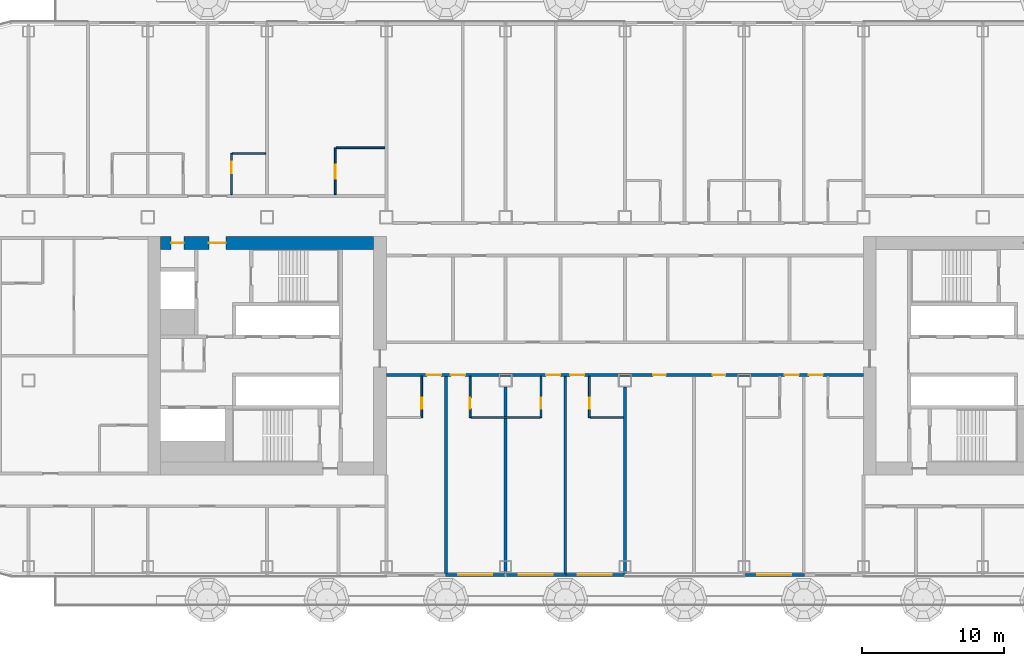
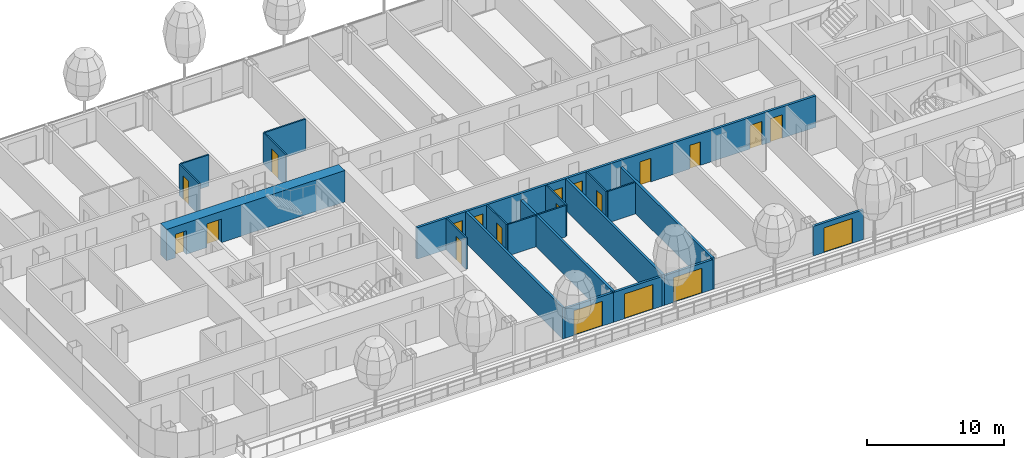
# One storey, part 15 of 34: 20 doors, 20 walls, 20 openings, 1 element without a shape of its own.
"""IFC4 building model written with IfcOpenShell, lengths in metres."""

from ifc_helpers import new_model, si_unit, direction, frame, frame_2d, origin, place, context, subcontext, project, spatial, rectangle, extrude, material, layer, layer_set, type_object, element, fill, aggregate, save


model = new_model("IFC4")

# Units and contexts
model_context = context("Model", 3, precision=1e-05, world=origin(), true_north=direction((0.0, 1.0)))
body_context = subcontext(model_context, "Body", "Model", "MODEL_VIEW")
ifc_project = project(units=[si_unit("LENGTHUNIT", "METRE"), si_unit("AREAUNIT", "SQUARE_METRE"), si_unit("VOLUMEUNIT", "CUBIC_METRE"), si_unit("PLANEANGLEUNIT", "RADIAN"), si_unit("MASSUNIT", "GRAM", prefix="KILO")], contexts=[model_context])

# Site, building, storey
site_placement = place(None, origin())
site = spatial("IfcSite", under=ifc_project, at=site_placement, CompositionType="ELEMENT")
building_placement = place(site_placement, origin())
building = spatial("IfcBuilding", under=site, at=building_placement, Name="Hakoniwa Tower and Hamabe Station Hall", CompositionType="ELEMENT")
storey_placement = place(building_placement, frame((0.0, 0.0, 94.60009765625)))
storey = spatial("IfcBuildingStorey", under=building, at=storey_placement, Name="L26", CompositionType="ELEMENT", Elevation=94.60009765625)

# Walls
ifc_material_1 = material(Name="Gypsum board partition", Category="gypsum")
ifc_layer_1 = layer(ifc_material_1, 0.125)
ifc_layer_set_1 = layer_set([ifc_layer_1], Name="Bathroom Partition 125")
wall_type_1 = type_object("IfcWallType", Name="Bathroom Partition 125", PredefinedType="PARTITIONING", material=ifc_layer_set_1)
wall_1_placement = place(storey_placement, frame((-10.83740234375, -4.35009765625, 0.0), z_axis=(0.0, 0.0, 1.0), x_axis=(1.0, 0.0, 0.0)))
element("IfcWall", 1, at=wall_1_placement, inside=storey, type_object=wall_type_1, Name="GW-L26-008", PredefinedType="PARTITIONING", context=body_context, shape_type="SweptSolid", body=[
    extrude(rectangle(XDim=4.875, YDim=0.125, at=frame_2d((2.4375, 0.0))), origin(), (0.0, 0.0, 1.0), 2.7998046875),
])
for number, where, z_axis, x_axis, name in (
    (2, (-2.4375, -4.35009765625, 0.0), (0.0, 0.0, 1.0), (1.0, 0.0, 0.0), "GW-L26-009"),
    (3, (-27.637451171875, 14.25, 0.0), (0.0, 0.0, 1.0), (1.0, 0.0, 0.0), "GW-L26-029"),
):
    element("IfcWall", number, at=place(storey_placement, frame(where, z_axis=z_axis, x_axis=x_axis)), inside=storey, type_object=wall_type_1, Name=name, PredefinedType="PARTITIONING", context=body_context, shape_type="SweptSolid", body=[
        extrude(rectangle(XDim=2.33740234375, YDim=0.125, at=frame_2d((1.168701171875, 0.0))), origin(), (0.0, 0.0, 1.0), 2.7998046875),
    ])
wall_2_placement = place(storey_placement, frame((-20.33740234375, 14.64990234375, 0.0), z_axis=(0.0, 0.0, 1.0), x_axis=(1.0, 0.0, 0.0)))
element("IfcWall", 4, at=wall_2_placement, inside=storey, type_object=wall_type_1, Name="GW-L26-030", PredefinedType="PARTITIONING", context=body_context, shape_type="SweptSolid", body=[
    extrude(rectangle(XDim=3.4375, YDim=0.125, at=frame_2d((1.71875, 0.0))), origin(), (0.0, 0.0, 1.0), 2.7998046875),
])

# Wall, opening, door
wall_3_placement = place(storey_placement, frame((-27.699951171875, 11.35009765625, 0.0), z_axis=(0.0, 0.0, 1.0), x_axis=(0.0, 1.0, 0.0)))
wall_3 = element("IfcWall", 5, at=wall_3_placement, inside=storey, type_object=wall_type_1, Name="GW-L26-045", PredefinedType="PARTITIONING", context=body_context, shape_type="SweptSolid", body=[
    extrude(rectangle(XDim=2.89990234375, YDim=0.125, at=frame_2d((1.449951171875, 0.0))), origin(), (0.0, 0.0, 1.0), 2.7998046875),
])
opening_1_placement = place(wall_3_placement, frame((1.5, 0.0, 0.0)))
opening_1 = element("IfcOpeningElement", 6, at=opening_1_placement, cuts=wall_3, Name="Opening GD-G2B1-59", PredefinedType="OPENING", context=body_context, shape_type="SweptSolid", body=[
    extrude(rectangle(XDim=0.800048828125, YDim=2.10009765625, at=frame_2d((0.39990234375, 1.050048828125))), frame((0.0, 0.072509765625, 0.0), z_axis=(0.0, -1.0, 0.0), x_axis=(1.0, 0.0, 0.0)), (0.0, 0.0, 1.0), 0.14501953125),
])
ifc_material_2 = material(Name="Timber door leaf", Category="wood")
door_type_1 = type_object("IfcDoorType", Name="Bathroom Door 800", OperationType="SINGLE_SWING_LEFT", PredefinedType="DOOR", material=ifc_material_2)
door_1_placement = place(opening_1_placement, origin())
door_1 = element("IfcDoor", 7, at=door_1_placement, inside=storey, type_object=door_type_1, Name="Door GD-G2B1-59", OperationType="SINGLE_SWING_RIGHT", OverallHeight=2.10009765625, OverallWidth=0.800048828125, PredefinedType="DOOR", context=body_context, shape_type="SweptSolid", body=[
    extrude(rectangle(XDim=0.800048828125, YDim=2.10009765625, at=frame_2d((0.39990234375, 1.050048828125))), frame((0.0, 0.02490234375, 0.0), z_axis=(0.0, -1.0, 0.0), x_axis=(1.0, 0.0, 0.0)), (0.0, 0.0, 1.0), 0.050048828125),
])
fill(opening_1, door_1)

wall_4_placement = place(storey_placement, frame((-20.39990234375, 11.35009765625, 0.0), z_axis=(0.0, 0.0, 1.0), x_axis=(0.0, 1.0, 0.0)))
wall_4 = element("IfcWall", 8, at=wall_4_placement, inside=storey, type_object=wall_type_1, Name="GW-L26-048", PredefinedType="PARTITIONING", context=body_context, shape_type="SweptSolid", body=[
    extrude(rectangle(XDim=3.2998046875, YDim=0.125, at=frame_2d((1.64990234375, 0.0))), origin(), (0.0, 0.0, 1.0), 2.7998046875),
])
opening_2_placement = place(wall_4_placement, frame((1.10009765625, 0.0, 0.0)))
opening_2 = element("IfcOpeningElement", 9, at=opening_2_placement, cuts=wall_4, Name="Opening GD-G2B1-60", PredefinedType="OPENING", context=body_context, shape_type="SweptSolid", body=[
    extrude(rectangle(XDim=1.0, YDim=2.10009765625, at=frame_2d((0.5, 1.050048828125))), frame((0.0, 0.072509765625, 0.0), z_axis=(0.0, -1.0, 0.0), x_axis=(1.0, 0.0, 0.0)), (0.0, 0.0, 1.0), 0.14501953125),
])
ifc_material_3 = material(Name="Timber door leaf", Category="wood")
door_type_2 = type_object("IfcDoorType", Name="Accessible Bathroom Door 1000", OperationType="SINGLE_SWING_LEFT", PredefinedType="DOOR", material=ifc_material_3)
door_2_placement = place(opening_2_placement, origin())
door_2 = element("IfcDoor", 10, at=door_2_placement, inside=storey, type_object=door_type_2, Name="Door GD-G2B1-60", OperationType="SINGLE_SWING_LEFT", OverallHeight=2.10009765625, OverallWidth=1.0, PredefinedType="DOOR", context=body_context, shape_type="SweptSolid", body=[
    extrude(rectangle(XDim=1.0, YDim=2.10009765625, at=frame_2d((0.5, 1.050048828125))), frame((0.0, 0.02490234375, 0.0), z_axis=(0.0, -1.0, 0.0), x_axis=(1.0, 0.0, 0.0)), (0.0, 0.0, 1.0), 0.050048828125),
])
fill(opening_2, door_2)

wall_5_placement = place(storey_placement, frame((-14.300048828125, -4.35009765625, 0.0), z_axis=(0.0, 0.0, 1.0), x_axis=(0.0, 1.0, 0.0)))
wall_5 = element("IfcWall", 11, at=wall_5_placement, inside=storey, type_object=wall_type_1, Name="GW-L26-052", PredefinedType="PARTITIONING", context=body_context, shape_type="SweptSolid", body=[
    extrude(rectangle(XDim=2.900146484375, YDim=0.125, at=frame_2d((1.4501953125, 0.0))), origin(), (0.0, 0.0, 1.0), 2.7998046875),
])
opening_3_placement = place(wall_5_placement, frame((0.60009765625, 0.0, 0.0)))
opening_3 = element("IfcOpeningElement", 12, at=opening_3_placement, cuts=wall_5, Name="Opening GD-G2B1-61", PredefinedType="OPENING", context=body_context, shape_type="SweptSolid", body=[
    extrude(rectangle(XDim=0.800048828125, YDim=2.10009765625, at=frame_2d((0.39990234375, 1.050048828125))), frame((0.0, 0.072509765625, 0.0), z_axis=(0.0, -1.0, 0.0), x_axis=(1.0, 0.0, 0.0)), (0.0, 0.0, 1.0), 0.14501953125),
])
door_3_placement = place(opening_3_placement, origin())
door_3 = element("IfcDoor", 13, at=door_3_placement, inside=storey, type_object=door_type_1, Name="Door GD-G2B1-61", OperationType="SINGLE_SWING_RIGHT", OverallHeight=2.10009765625, OverallWidth=0.800048828125, PredefinedType="DOOR", context=body_context, shape_type="SweptSolid", body=[
    extrude(rectangle(XDim=0.800048828125, YDim=2.10009765625, at=frame_2d((0.39990234375, 1.050048828125))), frame((0.0, 0.02490234375, 0.0), z_axis=(0.0, -1.0, 0.0), x_axis=(1.0, 0.0, 0.0)), (0.0, 0.0, 1.0), 0.050048828125),
])
fill(opening_3, door_3)

wall_6_placement = place(storey_placement, frame((-10.89990234375, -4.35009765625, 0.0), z_axis=(0.0, 0.0, 1.0), x_axis=(0.0, 1.0, 0.0)))
wall_6 = element("IfcWall", 14, at=wall_6_placement, inside=storey, type_object=wall_type_1, Name="GW-L26-056", PredefinedType="PARTITIONING", context=body_context, shape_type="SweptSolid", body=[
    extrude(rectangle(XDim=2.900146484375, YDim=0.125, at=frame_2d((1.4501953125, 0.0))), origin(), (0.0, 0.0, 1.0), 2.7998046875),
])
opening_4_placement = place(wall_6_placement, frame((0.60009765625, 0.0, 0.0)))
opening_4 = element("IfcOpeningElement", 15, at=opening_4_placement, cuts=wall_6, Name="Opening GD-G2B1-62", PredefinedType="OPENING", context=body_context, shape_type="SweptSolid", body=[
    extrude(rectangle(XDim=0.800048828125, YDim=2.10009765625, at=frame_2d((0.39990234375, 1.050048828125))), frame((0.0, 0.072509765625, 0.0), z_axis=(0.0, -1.0, 0.0), x_axis=(1.0, 0.0, 0.0)), (0.0, 0.0, 1.0), 0.14501953125),
])
door_4_placement = place(opening_4_placement, origin())
door_4 = element("IfcDoor", 16, at=door_4_placement, inside=storey, type_object=door_type_1, Name="Door GD-G2B1-62", OperationType="SINGLE_SWING_LEFT", OverallHeight=2.10009765625, OverallWidth=0.800048828125, PredefinedType="DOOR", context=body_context, shape_type="SweptSolid", body=[
    extrude(rectangle(XDim=0.800048828125, YDim=2.10009765625, at=frame_2d((0.39990234375, 1.050048828125))), frame((0.0, 0.02490234375, 0.0), z_axis=(0.0, -1.0, 0.0), x_axis=(1.0, 0.0, 0.0)), (0.0, 0.0, 1.0), 0.050048828125),
])
fill(opening_4, door_4)

wall_7_placement = place(storey_placement, frame((-5.89990234375, -4.35009765625, 0.0), z_axis=(0.0, 0.0, 1.0), x_axis=(0.0, 1.0, 0.0)))
wall_7 = element("IfcWall", 17, at=wall_7_placement, inside=storey, type_object=wall_type_1, Name="GW-L26-060", PredefinedType="PARTITIONING", context=body_context, shape_type="SweptSolid", body=[
    extrude(rectangle(XDim=2.900146484375, YDim=0.125, at=frame_2d((1.4501953125, 0.0))), origin(), (0.0, 0.0, 1.0), 2.7998046875),
])
opening_5_placement = place(wall_7_placement, frame((0.60009765625, 0.0, 0.0)))
opening_5 = element("IfcOpeningElement", 18, at=opening_5_placement, cuts=wall_7, Name="Opening GD-G2B1-63", PredefinedType="OPENING", context=body_context, shape_type="SweptSolid", body=[
    extrude(rectangle(XDim=0.800048828125, YDim=2.10009765625, at=frame_2d((0.39990234375, 1.050048828125))), frame((0.0, 0.072509765625, 0.0), z_axis=(0.0, -1.0, 0.0), x_axis=(1.0, 0.0, 0.0)), (0.0, 0.0, 1.0), 0.14501953125),
])
door_5_placement = place(opening_5_placement, origin())
door_5 = element("IfcDoor", 19, at=door_5_placement, inside=storey, type_object=door_type_1, Name="Door GD-G2B1-63", OperationType="SINGLE_SWING_RIGHT", OverallHeight=2.10009765625, OverallWidth=0.800048828125, PredefinedType="DOOR", context=body_context, shape_type="SweptSolid", body=[
    extrude(rectangle(XDim=0.800048828125, YDim=2.10009765625, at=frame_2d((0.39990234375, 1.050048828125))), frame((0.0, 0.02490234375, 0.0), z_axis=(0.0, -1.0, 0.0), x_axis=(1.0, 0.0, 0.0)), (0.0, 0.0, 1.0), 0.050048828125),
])
fill(opening_5, door_5)

wall_8_placement = place(storey_placement, frame((-2.5, -4.35009765625, 0.0), z_axis=(0.0, 0.0, 1.0), x_axis=(0.0, 1.0, 0.0)))
wall_8 = element("IfcWall", 20, at=wall_8_placement, inside=storey, type_object=wall_type_1, Name="GW-L26-064", PredefinedType="PARTITIONING", context=body_context, shape_type="SweptSolid", body=[
    extrude(rectangle(XDim=2.900146484375, YDim=0.125, at=frame_2d((1.4501953125, 0.0))), origin(), (0.0, 0.0, 1.0), 2.7998046875),
])
opening_6_placement = place(wall_8_placement, frame((0.60009765625, 0.0, 0.0)))
opening_6 = element("IfcOpeningElement", 21, at=opening_6_placement, cuts=wall_8, Name="Opening GD-G2B1-64", PredefinedType="OPENING", context=body_context, shape_type="SweptSolid", body=[
    extrude(rectangle(XDim=0.800048828125, YDim=2.10009765625, at=frame_2d((0.39990234375, 1.050048828125))), frame((0.0, 0.072509765625, 0.0), z_axis=(0.0, -1.0, 0.0), x_axis=(1.0, 0.0, 0.0)), (0.0, 0.0, 1.0), 0.14501953125),
])
door_6_placement = place(opening_6_placement, origin())
door_6 = element("IfcDoor", 22, at=door_6_placement, inside=storey, type_object=door_type_1, Name="Door GD-G2B1-64", OperationType="SINGLE_SWING_LEFT", OverallHeight=2.10009765625, OverallWidth=0.800048828125, PredefinedType="DOOR", context=body_context, shape_type="SweptSolid", body=[
    extrude(rectangle(XDim=0.800048828125, YDim=2.10009765625, at=frame_2d((0.39990234375, 1.050048828125))), frame((0.0, 0.02490234375, 0.0), z_axis=(0.0, -1.0, 0.0), x_axis=(1.0, 0.0, 0.0)), (0.0, 0.0, 1.0), 0.050048828125),
])
fill(opening_6, door_6)

# Wall, openings, doors
ifc_material_4 = material(Name="Concrete C72", Category="concrete")
ifc_layer_2 = layer(ifc_material_4, 0.89990234375)
ifc_layer_set_2 = layer_set([ifc_layer_2], Name="CORE WALL 900 C72")
wall_type_2 = type_object("IfcWallType", Name="CORE WALL 900 C72", PredefinedType="SHEAR", material=ifc_layer_set_2)
wall_9_placement = place(storey_placement, frame((-32.699951171875, 7.949951171875, 0.0), z_axis=(0.0, 0.0, 1.0), x_axis=(1.0, 0.0, 0.0)))
wall_9 = element("IfcWall", 23, at=wall_9_placement, inside=storey, type_object=wall_type_2, Name="Core wall NORTH west", PredefinedType="SHEAR", context=body_context, shape_type="SweptSolid", body=[
    extrude(rectangle(XDim=15.0, YDim=0.89990234375, at=frame_2d((7.5, 0.0))), origin(), (0.0, 0.0, 1.0), 2.7998046875),
])
opening_7_placement = place(wall_9_placement, frame((3.39990234375, 0.0, 0.0)))
opening_7 = element("IfcOpeningElement", 24, at=opening_7_placement, cuts=wall_9, Name="Opening CD-W-FN1-12", PredefinedType="OPENING", context=body_context, shape_type="SweptSolid", body=[
    extrude(rectangle(XDim=1.199951171875, YDim=2.10009765625, at=frame_2d((0.60009765625, 1.050048828125))), frame((0.0, 0.4599609375, 0.0), z_axis=(0.0, -1.0, 0.0), x_axis=(1.0, 0.0, 0.0)), (0.0, 0.0, 1.0), 0.919921875),
])
opening_8_placement = place(wall_9_placement, frame((0.75, 0.0, 0.0)))
opening_8 = element("IfcOpeningElement", 25, at=opening_8_placement, cuts=wall_9, Name="Opening CD-W-FN2-9", PredefinedType="OPENING", context=body_context, shape_type="SweptSolid", body=[
    extrude(rectangle(XDim=0.89990234375, YDim=2.10009765625, at=frame_2d((0.449951171875, 1.050048828125))), frame((0.0, 0.4599609375, 0.0), z_axis=(0.0, -1.0, 0.0), x_axis=(1.0, 0.0, 0.0)), (0.0, 0.0, 1.0), 0.919921875),
])
ifc_material_5 = material(Name="Steel fire door", Category="steel")
door_type_3 = type_object("IfcDoorType", Name="CORE DOOR 1200 FD60", OperationType="DOUBLE_DOOR_SINGLE_SWING", PredefinedType="DOOR", material=ifc_material_5)
door_7_placement = place(opening_7_placement, origin())
door_7 = element("IfcDoor", 26, at=door_7_placement, inside=storey, type_object=door_type_3, Name="Stair vestibule door to the fire-fighting lobby", OperationType="DOUBLE_DOOR_SINGLE_SWING", OverallHeight=2.10009765625, OverallWidth=1.199951171875, PredefinedType="DOOR", context=body_context, shape_type="SweptSolid", body=[
    extrude(rectangle(XDim=1.199951171875, YDim=2.10009765625, at=frame_2d((0.60009765625, 1.050048828125))), frame((0.0, 0.02490234375, 0.0), z_axis=(0.0, -1.0, 0.0), x_axis=(1.0, 0.0, 0.0)), (0.0, 0.0, 1.0), 0.050048828125),
])
fill(opening_7, door_7)
ifc_material_6 = material(Name="Steel fire door", Category="steel")
door_type_4 = type_object("IfcDoorType", Name="CORE DOOR 900 FD30", OperationType="NOTDEFINED", PredefinedType="DOOR", material=ifc_material_6)
door_8_placement = place(opening_8_placement, origin())
door_8 = element("IfcDoor", 27, at=door_8_placement, inside=storey, type_object=door_type_4, Name="Riser access door", OperationType="SINGLE_SWING_RIGHT", OverallHeight=2.10009765625, OverallWidth=0.89990234375, PredefinedType="DOOR", context=body_context, shape_type="SweptSolid", body=[
    extrude(rectangle(XDim=0.89990234375, YDim=2.10009765625, at=frame_2d((0.449951171875, 1.050048828125))), frame((0.0, 0.02490234375, 0.0), z_axis=(0.0, -1.0, 0.0), x_axis=(1.0, 0.0, 0.0)), (0.0, 0.0, 1.0), 0.050048828125),
])
fill(opening_8, door_8)

ifc_material_7 = material(Name="Fire-rated gypsum board partition", Category="gypsum")
ifc_layer_3 = layer(ifc_material_7, 0.199951171875)
ifc_layer_set_3 = layer_set([ifc_layer_3], Name="Corridor Wall 200")
wall_type_3 = type_object("IfcWallType", Name="Corridor Wall 200", PredefinedType="PARTITIONING", material=ifc_layer_set_3)
wall_10_placement = place(storey_placement, frame((-16.800048828125, -1.35009765625, 0.0), z_axis=(0.0, 0.0, 1.0), x_axis=(1.0, 0.0, 0.0)))
wall_10 = element("IfcWall", 28, at=wall_10_placement, inside=storey, type_object=wall_type_3, Name="GW-L26-012", PredefinedType="PARTITIONING", context=body_context, shape_type="SweptSolid", body=[
    extrude(rectangle(XDim=33.60009765625, YDim=0.199951171875, at=frame_2d((16.800048828125, 0.0))), origin(), (0.0, 0.0, 1.0), 2.7998046875),
])
opening_9_placement = place(wall_10_placement, frame((2.85009765625, 0.0, 0.0)))
opening_9 = element("IfcOpeningElement", 29, at=opening_9_placement, cuts=wall_10, Name="Opening GD-G2B1-17", PredefinedType="OPENING", context=body_context, shape_type="SweptSolid", body=[
    extrude(rectangle(XDim=1.0, YDim=2.10009765625, at=frame_2d((0.5, 1.050048828125))), frame((0.0, 0.10986328125, 0.0), z_axis=(0.0, -1.0, 0.0), x_axis=(1.0, 0.0, 0.0)), (0.0, 0.0, 1.0), 0.219970703125),
])
opening_10_placement = place(wall_10_placement, frame((4.550048828125, 0.0, 0.0)))
opening_10 = element("IfcOpeningElement", 30, at=opening_10_placement, cuts=wall_10, Name="Opening GD-G2B1-18", PredefinedType="OPENING", context=body_context, shape_type="SweptSolid", body=[
    extrude(rectangle(XDim=1.0, YDim=2.10009765625, at=frame_2d((0.5, 1.050048828125))), frame((0.0, 0.10986328125, 0.0), z_axis=(0.0, -1.0, 0.0), x_axis=(1.0, 0.0, 0.0)), (0.0, 0.0, 1.0), 0.219970703125),
])
opening_11_placement = place(wall_10_placement, frame((11.25, 0.0, 0.0)))
opening_11 = element("IfcOpeningElement", 31, at=opening_11_placement, cuts=wall_10, Name="Opening GD-G2B1-19", PredefinedType="OPENING", context=body_context, shape_type="SweptSolid", body=[
    extrude(rectangle(XDim=1.0, YDim=2.10009765625, at=frame_2d((0.5, 1.050048828125))), frame((0.0, 0.10986328125, 0.0), z_axis=(0.0, -1.0, 0.0), x_axis=(1.0, 0.0, 0.0)), (0.0, 0.0, 1.0), 0.219970703125),
])
opening_12_placement = place(wall_10_placement, frame((12.949951171875, 0.0, 0.0)))
opening_12 = element("IfcOpeningElement", 32, at=opening_12_placement, cuts=wall_10, Name="Opening GD-G2B1-20", PredefinedType="OPENING", context=body_context, shape_type="SweptSolid", body=[
    extrude(rectangle(XDim=1.0, YDim=2.10009765625, at=frame_2d((0.5, 1.050048828125))), frame((0.0, 0.10986328125, 0.0), z_axis=(0.0, -1.0, 0.0), x_axis=(1.0, 0.0, 0.0)), (0.0, 0.0, 1.0), 0.219970703125),
])
opening_13_placement = place(wall_10_placement, frame((18.784912109375, 0.0, 0.0)))
opening_13 = element("IfcOpeningElement", 33, at=opening_13_placement, cuts=wall_10, Name="Opening GD-G2B1-21", PredefinedType="OPENING", context=body_context, shape_type="SweptSolid", body=[
    extrude(rectangle(XDim=0.89990234375, YDim=2.10009765625, at=frame_2d((0.449951171875, 1.050048828125))), frame((0.0, 0.10986328125, 0.0), z_axis=(0.0, -1.0, 0.0), x_axis=(1.0, 0.0, 0.0)), (0.0, 0.0, 1.0), 0.219970703125),
])
opening_14_placement = place(wall_10_placement, frame((22.985107421875, 0.0, 0.0)))
opening_14 = element("IfcOpeningElement", 34, at=opening_14_placement, cuts=wall_10, Name="Opening GD-G2B1-22", PredefinedType="OPENING", context=body_context, shape_type="SweptSolid", body=[
    extrude(rectangle(XDim=0.89990234375, YDim=2.10009765625, at=frame_2d((0.449951171875, 1.050048828125))), frame((0.0, 0.10986328125, 0.0), z_axis=(0.0, -1.0, 0.0), x_axis=(1.0, 0.0, 0.0)), (0.0, 0.0, 1.0), 0.219970703125),
])
opening_15_placement = place(wall_10_placement, frame((28.050048828125, 0.0, 0.0)))
opening_15 = element("IfcOpeningElement", 35, at=opening_15_placement, cuts=wall_10, Name="Opening GD-G2B1-23", PredefinedType="OPENING", context=body_context, shape_type="SweptSolid", body=[
    extrude(rectangle(XDim=1.0, YDim=2.10009765625, at=frame_2d((0.5, 1.050048828125))), frame((0.0, 0.10986328125, 0.0), z_axis=(0.0, -1.0, 0.0), x_axis=(1.0, 0.0, 0.0)), (0.0, 0.0, 1.0), 0.219970703125),
])
opening_16_placement = place(wall_10_placement, frame((29.75, 0.0, 0.0)))
opening_16 = element("IfcOpeningElement", 36, at=opening_16_placement, cuts=wall_10, Name="Opening GD-G2B1-24", PredefinedType="OPENING", context=body_context, shape_type="SweptSolid", body=[
    extrude(rectangle(XDim=1.0, YDim=2.10009765625, at=frame_2d((0.5, 1.050048828125))), frame((0.0, 0.10986328125, 0.0), z_axis=(0.0, -1.0, 0.0), x_axis=(1.0, 0.0, 0.0)), (0.0, 0.0, 1.0), 0.219970703125),
])
ifc_material_8 = material(Name="Timber door leaf", Category="wood")
door_type_5 = type_object("IfcDoorType", Name="Guest Entrance Door 1000", OperationType="SINGLE_SWING_LEFT", PredefinedType="DOOR", material=ifc_material_8)
door_9_placement = place(opening_9_placement, origin())
door_9 = element("IfcDoor", 37, at=door_9_placement, inside=storey, type_object=door_type_5, Name="Door GD-G2B1-17", OperationType="SINGLE_SWING_LEFT", OverallHeight=2.10009765625, OverallWidth=1.0, PredefinedType="DOOR", context=body_context, shape_type="SweptSolid", body=[
    extrude(rectangle(XDim=1.0, YDim=2.10009765625, at=frame_2d((0.5, 1.050048828125))), frame((0.0, 0.02490234375, 0.0), z_axis=(0.0, -1.0, 0.0), x_axis=(1.0, 0.0, 0.0)), (0.0, 0.0, 1.0), 0.050048828125),
])
fill(opening_9, door_9)
door_10_placement = place(opening_10_placement, origin())
door_10 = element("IfcDoor", 38, at=door_10_placement, inside=storey, type_object=door_type_5, Name="Door GD-G2B1-18", OperationType="SINGLE_SWING_RIGHT", OverallHeight=2.10009765625, OverallWidth=1.0, PredefinedType="DOOR", context=body_context, shape_type="SweptSolid", body=[
    extrude(rectangle(XDim=1.0, YDim=2.10009765625, at=frame_2d((0.5, 1.050048828125))), frame((0.0, 0.02490234375, 0.0), z_axis=(0.0, -1.0, 0.0), x_axis=(1.0, 0.0, 0.0)), (0.0, 0.0, 1.0), 0.050048828125),
])
fill(opening_10, door_10)
door_11_placement = place(opening_11_placement, origin())
door_11 = element("IfcDoor", 39, at=door_11_placement, inside=storey, type_object=door_type_5, Name="Door GD-G2B1-19", OperationType="SINGLE_SWING_LEFT", OverallHeight=2.10009765625, OverallWidth=1.0, PredefinedType="DOOR", context=body_context, shape_type="SweptSolid", body=[
    extrude(rectangle(XDim=1.0, YDim=2.10009765625, at=frame_2d((0.5, 1.050048828125))), frame((0.0, 0.02490234375, 0.0), z_axis=(0.0, -1.0, 0.0), x_axis=(1.0, 0.0, 0.0)), (0.0, 0.0, 1.0), 0.050048828125),
])
fill(opening_11, door_11)
door_12_placement = place(opening_12_placement, origin())
door_12 = element("IfcDoor", 40, at=door_12_placement, inside=storey, type_object=door_type_5, Name="Door GD-G2B1-20", OperationType="SINGLE_SWING_LEFT", OverallHeight=2.10009765625, OverallWidth=1.0, PredefinedType="DOOR", context=body_context, shape_type="SweptSolid", body=[
    extrude(rectangle(XDim=1.0, YDim=2.10009765625, at=frame_2d((0.5, 1.050048828125))), frame((0.0, 0.02490234375, 0.0), z_axis=(0.0, -1.0, 0.0), x_axis=(1.0, 0.0, 0.0)), (0.0, 0.0, 1.0), 0.050048828125),
])
fill(opening_12, door_12)
door_13_placement = place(opening_15_placement, origin())
door_13 = element("IfcDoor", 41, at=door_13_placement, inside=storey, type_object=door_type_5, Name="Door GD-G2B1-23", OperationType="SINGLE_SWING_RIGHT", OverallHeight=2.10009765625, OverallWidth=1.0, PredefinedType="DOOR", context=body_context, shape_type="SweptSolid", body=[
    extrude(rectangle(XDim=1.0, YDim=2.10009765625, at=frame_2d((0.5, 1.050048828125))), frame((0.0, 0.02490234375, 0.0), z_axis=(0.0, -1.0, 0.0), x_axis=(1.0, 0.0, 0.0)), (0.0, 0.0, 1.0), 0.050048828125),
])
fill(opening_15, door_13)
door_14_placement = place(opening_16_placement, origin())
door_14 = element("IfcDoor", 42, at=door_14_placement, inside=storey, type_object=door_type_5, Name="Door GD-G2B1-24", OperationType="SINGLE_SWING_LEFT", OverallHeight=2.10009765625, OverallWidth=1.0, PredefinedType="DOOR", context=body_context, shape_type="SweptSolid", body=[
    extrude(rectangle(XDim=1.0, YDim=2.10009765625, at=frame_2d((0.5, 1.050048828125))), frame((0.0, 0.02490234375, 0.0), z_axis=(0.0, -1.0, 0.0), x_axis=(1.0, 0.0, 0.0)), (0.0, 0.0, 1.0), 0.050048828125),
])
fill(opening_16, door_14)
ifc_material_9 = material(Name="Timber door leaf", Category="wood")
door_type_6 = type_object("IfcDoorType", Name="Service Door 900", OperationType="SINGLE_SWING_LEFT", PredefinedType="DOOR", material=ifc_material_9)
door_15_placement = place(opening_13_placement, origin())
door_15 = element("IfcDoor", 43, at=door_15_placement, inside=storey, type_object=door_type_6, Name="Door GD-G2B1-21", OperationType="SINGLE_SWING_RIGHT", OverallHeight=2.10009765625, OverallWidth=0.89990234375, PredefinedType="DOOR", context=body_context, shape_type="SweptSolid", body=[
    extrude(rectangle(XDim=0.89990234375, YDim=2.10009765625, at=frame_2d((0.449951171875, 1.050048828125))), frame((0.0, 0.02490234375, 0.0), z_axis=(0.0, -1.0, 0.0), x_axis=(1.0, 0.0, 0.0)), (0.0, 0.0, 1.0), 0.050048828125),
])
fill(opening_13, door_15)
door_16_placement = place(opening_14_placement, origin())
door_16 = element("IfcDoor", 44, at=door_16_placement, inside=storey, type_object=door_type_6, Name="Door GD-G2B1-22", OperationType="SINGLE_SWING_LEFT", OverallHeight=2.10009765625, OverallWidth=0.89990234375, PredefinedType="DOOR", context=body_context, shape_type="SweptSolid", body=[
    extrude(rectangle(XDim=0.89990234375, YDim=2.10009765625, at=frame_2d((0.449951171875, 1.050048828125))), frame((0.0, 0.02490234375, 0.0), z_axis=(0.0, -1.0, 0.0), x_axis=(1.0, 0.0, 0.0)), (0.0, 0.0, 1.0), 0.050048828125),
])
fill(opening_14, door_16)

# Curtain wall, walls, openings, doors
ifc_material_10 = material(Name="Dark low-e laminated glass", Category="glass")
ifc_layer_4 = layer(ifc_material_10, 0.199951171875)
ifc_layer_set_4 = layer_set([ifc_layer_4], Name="CW-1 UNITISED GUEST")
curtain_wall_type = type_object("IfcCurtainWallType", Name="CW-1 UNITISED GUEST", PredefinedType="NOTDEFINED", material=ifc_layer_set_4)
curtain_wall_placement = place(storey_placement, origin())
curtain_wall = element("IfcCurtainWall", 45, at=curtain_wall_placement, inside=storey, type_object=curtain_wall_type, Name="CW-1 curtain wall", PredefinedType="NOTDEFINED")
ifc_material_11 = material(Name="Dark glass-faced aluminium panel", Category="aluminium")
ifc_layer_5 = layer(ifc_material_11, 0.199951171875)
ifc_layer_set_5 = layer_set([ifc_layer_5], Name="DOOR BAY WALL")
wall_type_4 = type_object("IfcWallType", Name="DOOR BAY WALL", PredefinedType="NOTDEFINED", material=ifc_layer_set_5)
wall_11_placement = place(storey_placement, frame((-12.639892578125, -15.449951171875, 0.0), z_axis=(0.0, 0.0, 1.0), x_axis=(1.0, 0.0, 0.0)))
wall_11 = element("IfcWall", 46, at=wall_11_placement, type_object=wall_type_4, Name="Door bay wall", PredefinedType="NOTDEFINED", context=body_context, shape_type="SweptSolid", body=[
    extrude(rectangle(XDim=4.219970703125, YDim=0.199951171875, at=frame_2d((2.10986328125, 0.0))), origin(), (0.0, 0.0, 1.0), 2.64990234375),
])
opening_17_placement = place(wall_11_placement, frame((0.909912109375, 0.0, 0.0)))
opening_17 = element("IfcOpeningElement", 47, at=opening_17_placement, cuts=wall_11, Name="Opening BD-S07-6", PredefinedType="OPENING", context=body_context, shape_type="SweptSolid", body=[
    extrude(rectangle(XDim=2.39990234375, YDim=2.199951171875, at=frame_2d((1.199951171875, 1.10009765625))), frame((0.0, 0.10986328125, 0.0), z_axis=(0.0, -1.0, 0.0), x_axis=(1.0, 0.0, 0.0)), (0.0, 0.0, 1.0), 0.219970703125),
])
ifc_material_12 = material(Name="Dark low-e laminated glass", Category="glass")
door_type_7 = type_object("IfcDoorType", Name="BALCONY SLIDING DOOR 2400X2200", OperationType="SLIDING_TO_LEFT", PredefinedType="DOOR", material=ifc_material_12)
door_17_placement = place(opening_17_placement, frame((2.39990234375, 0.0, 0.0), z_axis=(0.0, 0.0, 1.0), x_axis=(-1.0, 0.0, 0.0)))
door_17 = element("IfcDoor", 48, at=door_17_placement, inside=storey, type_object=door_type_7, Name="Balcony sliding door", OperationType="SLIDING_TO_LEFT", OverallHeight=2.199951171875, OverallWidth=2.39990234375, PredefinedType="DOOR", context=body_context, shape_type="SweptSolid", body=[
    extrude(rectangle(XDim=2.39990234375, YDim=2.199951171875, at=frame_2d((1.199951171875, 1.10009765625))), frame((0.0, 0.02490234375, 0.0), z_axis=(0.0, -1.0, 0.0), x_axis=(1.0, 0.0, 0.0)), (0.0, 0.0, 1.0), 0.050048828125),
])
fill(opening_17, door_17)
wall_12_placement = place(storey_placement, frame((-8.3798828125, -15.449951171875, 0.0), z_axis=(0.0, 0.0, 1.0), x_axis=(1.0, 0.0, 0.0)))
wall_12 = element("IfcWall", 49, at=wall_12_placement, type_object=wall_type_4, Name="Door bay wall", PredefinedType="NOTDEFINED", context=body_context, shape_type="SweptSolid", body=[
    extrude(rectangle(XDim=4.219970703125, YDim=0.199951171875, at=frame_2d((2.10986328125, 0.0))), origin(), (0.0, 0.0, 1.0), 2.64990234375),
])
opening_18_placement = place(wall_12_placement, frame((0.909912109375, 0.0, 0.0)))
opening_18 = element("IfcOpeningElement", 50, at=opening_18_placement, cuts=wall_12, Name="Opening BD-S07-7", PredefinedType="OPENING", context=body_context, shape_type="SweptSolid", body=[
    extrude(rectangle(XDim=2.39990234375, YDim=2.199951171875, at=frame_2d((1.199951171875, 1.10009765625))), frame((0.0, 0.10986328125, 0.0), z_axis=(0.0, -1.0, 0.0), x_axis=(1.0, 0.0, 0.0)), (0.0, 0.0, 1.0), 0.219970703125),
])
door_18_placement = place(opening_18_placement, frame((2.39990234375, 0.0, 0.0), z_axis=(0.0, 0.0, 1.0), x_axis=(-1.0, 0.0, 0.0)))
door_18 = element("IfcDoor", 51, at=door_18_placement, inside=storey, type_object=door_type_7, Name="Balcony sliding door", OperationType="SLIDING_TO_LEFT", OverallHeight=2.199951171875, OverallWidth=2.39990234375, PredefinedType="DOOR", context=body_context, shape_type="SweptSolid", body=[
    extrude(rectangle(XDim=2.39990234375, YDim=2.199951171875, at=frame_2d((1.199951171875, 1.10009765625))), frame((0.0, 0.02490234375, 0.0), z_axis=(0.0, -1.0, 0.0), x_axis=(1.0, 0.0, 0.0)), (0.0, 0.0, 1.0), 0.050048828125),
])
fill(opening_18, door_18)
wall_13_placement = place(storey_placement, frame((-4.239990234375, -15.449951171875, 0.0), z_axis=(0.0, 0.0, 1.0), x_axis=(1.0, 0.0, 0.0)))
wall_13 = element("IfcWall", 52, at=wall_13_placement, type_object=wall_type_4, Name="Door bay wall", PredefinedType="NOTDEFINED", context=body_context, shape_type="SweptSolid", body=[
    extrude(rectangle(XDim=4.219970703125, YDim=0.199951171875, at=frame_2d((2.10986328125, 0.0))), origin(), (0.0, 0.0, 1.0), 2.64990234375),
])
opening_19_placement = place(wall_13_placement, frame((0.909912109375, 0.0, 0.0)))
opening_19 = element("IfcOpeningElement", 53, at=opening_19_placement, cuts=wall_13, Name="Opening BD-S07-8", PredefinedType="OPENING", context=body_context, shape_type="SweptSolid", body=[
    extrude(rectangle(XDim=2.39990234375, YDim=2.199951171875, at=frame_2d((1.199951171875, 1.10009765625))), frame((0.0, 0.10986328125, 0.0), z_axis=(0.0, -1.0, 0.0), x_axis=(1.0, 0.0, 0.0)), (0.0, 0.0, 1.0), 0.219970703125),
])
door_19_placement = place(opening_19_placement, frame((2.39990234375, 0.0, 0.0), z_axis=(0.0, 0.0, 1.0), x_axis=(-1.0, 0.0, 0.0)))
door_19 = element("IfcDoor", 54, at=door_19_placement, inside=storey, type_object=door_type_7, Name="Balcony sliding door", OperationType="SLIDING_TO_LEFT", OverallHeight=2.199951171875, OverallWidth=2.39990234375, PredefinedType="DOOR", context=body_context, shape_type="SweptSolid", body=[
    extrude(rectangle(XDim=2.39990234375, YDim=2.199951171875, at=frame_2d((1.199951171875, 1.10009765625))), frame((0.0, 0.02490234375, 0.0), z_axis=(0.0, -1.0, 0.0), x_axis=(1.0, 0.0, 0.0)), (0.0, 0.0, 1.0), 0.050048828125),
])
fill(opening_19, door_19)
wall_14_placement = place(storey_placement, frame((8.419921875, -15.449951171875, 0.0), z_axis=(0.0, 0.0, 1.0), x_axis=(1.0, 0.0, 0.0)))
wall_14 = element("IfcWall", 55, at=wall_14_placement, type_object=wall_type_4, Name="Door bay wall", PredefinedType="NOTDEFINED", context=body_context, shape_type="SweptSolid", body=[
    extrude(rectangle(XDim=4.219970703125, YDim=0.199951171875, at=frame_2d((2.10986328125, 0.0))), origin(), (0.0, 0.0, 1.0), 2.64990234375),
])
opening_20_placement = place(wall_14_placement, frame((0.909912109375, 0.0, 0.0)))
opening_20 = element("IfcOpeningElement", 56, at=opening_20_placement, cuts=wall_14, Name="Opening BD-S07-9", PredefinedType="OPENING", context=body_context, shape_type="SweptSolid", body=[
    extrude(rectangle(XDim=2.39990234375, YDim=2.199951171875, at=frame_2d((1.199951171875, 1.10009765625))), frame((0.0, 0.10986328125, 0.0), z_axis=(0.0, -1.0, 0.0), x_axis=(1.0, 0.0, 0.0)), (0.0, 0.0, 1.0), 0.219970703125),
])
door_20_placement = place(opening_20_placement, frame((2.39990234375, 0.0, 0.0), z_axis=(0.0, 0.0, 1.0), x_axis=(-1.0, 0.0, 0.0)))
door_20 = element("IfcDoor", 57, at=door_20_placement, inside=storey, type_object=door_type_7, Name="Balcony sliding door", OperationType="SLIDING_TO_LEFT", OverallHeight=2.199951171875, OverallWidth=2.39990234375, PredefinedType="DOOR", context=body_context, shape_type="SweptSolid", body=[
    extrude(rectangle(XDim=2.39990234375, YDim=2.199951171875, at=frame_2d((1.199951171875, 1.10009765625))), frame((0.0, 0.02490234375, 0.0), z_axis=(0.0, -1.0, 0.0), x_axis=(1.0, 0.0, 0.0)), (0.0, 0.0, 1.0), 0.050048828125),
])
fill(opening_20, door_20)
aggregate(curtain_wall, [wall_11, wall_12, wall_13, wall_14])

# Walls
ifc_material_13 = material(Name="Fire-rated gypsum board partition", Category="gypsum")
ifc_layer_6 = layer(ifc_material_13, 0.199951171875)
ifc_layer_set_6 = layer_set([ifc_layer_6], Name="Party Wall 200")
wall_type_5 = type_object("IfcWallType", Name="Party Wall 200", PredefinedType="PARTITIONING", material=ifc_layer_set_6)
wall_15_placement = place(storey_placement, frame((-12.60009765625, -15.550048828125, 0.0), z_axis=(0.0, 0.0, 1.0), x_axis=(0.0, 1.0, 0.0)))
element("IfcWall", 58, at=wall_15_placement, inside=storey, type_object=wall_type_5, Name="GW-L26-053", PredefinedType="PARTITIONING", context=body_context, shape_type="SweptSolid", body=[
    extrude(rectangle(XDim=14.10009765625, YDim=0.199951171875, at=frame_2d((7.050048828125, 0.0))), origin(), (0.0, 0.0, 1.0), 2.7998046875),
])
wall_16_placement = place(storey_placement, frame((-8.39990234375, -15.550048828125, 0.0), z_axis=(0.0, 0.0, 1.0), x_axis=(0.0, 1.0, 0.0)))
element("IfcWall", 59, at=wall_16_placement, inside=storey, type_object=wall_type_5, Name="GW-L26-057", PredefinedType="PARTITIONING", context=body_context, shape_type="SweptSolid", body=[
    extrude(rectangle(XDim=13.360107421875, YDim=0.199951171875, at=frame_2d((6.68017578125, 0.0))), origin(), (0.0, 0.0, 1.0), 2.7998046875),
])
wall_17_placement = place(storey_placement, frame((-4.199951171875, -15.550048828125, 0.0), z_axis=(0.0, 0.0, 1.0), x_axis=(0.0, 1.0, 0.0)))
element("IfcWall", 60, at=wall_17_placement, inside=storey, type_object=wall_type_5, Name="GW-L26-063", PredefinedType="PARTITIONING", context=body_context, shape_type="SweptSolid", body=[
    extrude(rectangle(XDim=14.10009765625, YDim=0.199951171875, at=frame_2d((7.050048828125, 0.0))), origin(), (0.0, 0.0, 1.0), 2.7998046875),
])
wall_18_placement = place(storey_placement, frame((0.0, -15.550048828125, 0.0), z_axis=(0.0, 0.0, 1.0), x_axis=(0.0, 1.0, 0.0)))
element("IfcWall", 61, at=wall_18_placement, inside=storey, type_object=wall_type_5, Name="GW-L26-065", PredefinedType="PARTITIONING", context=body_context, shape_type="SweptSolid", body=[
    extrude(rectangle(XDim=13.360107421875, YDim=0.199951171875, at=frame_2d((6.68017578125, 0.0))), origin(), (0.0, 0.0, 1.0), 2.7998046875),
])

save(model, "model.ifc")
